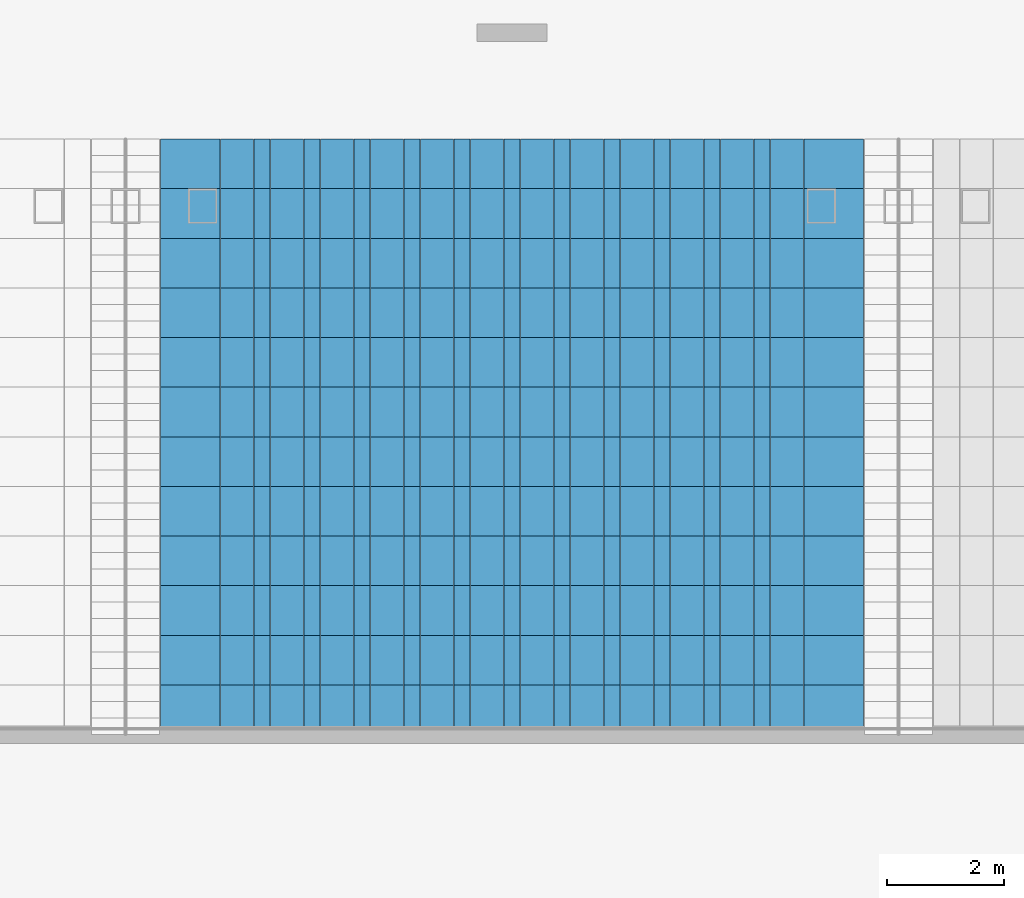
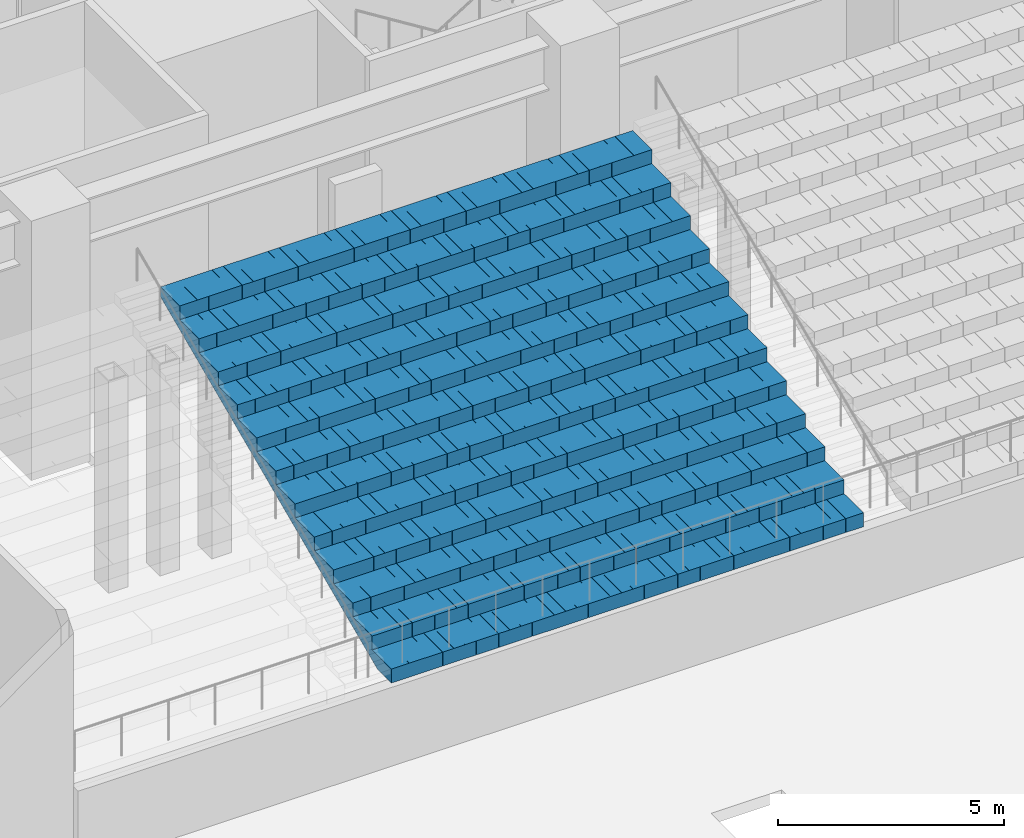
# One storey, part 25 of 62: 1 slab.
"""IFC4 building model written with IfcOpenShell, lengths in metres."""

from ifc_helpers import new_model, si_unit, direction, frame, origin, place, context, subcontext, project, spatial, polyline, outline, extrude, material, layer, layer_set, type_object, element, save


model = new_model("IFC4")

# Units and contexts
model_context = context("Model", 3, precision=1e-05, world=origin(), true_north=direction((0.0, 1.0)))
body_context = subcontext(model_context, "Body", "Model", "MODEL_VIEW")
ifc_project = project(units=[si_unit("LENGTHUNIT", "METRE"), si_unit("AREAUNIT", "SQUARE_METRE"), si_unit("VOLUMEUNIT", "CUBIC_METRE"), si_unit("PLANEANGLEUNIT", "RADIAN"), si_unit("MASSUNIT", "GRAM", prefix="KILO")], contexts=[model_context])

# Site, building, storey
site_placement = place(None, origin())
site = spatial("IfcSite", under=ifc_project, at=site_placement, CompositionType="ELEMENT")
building_placement = place(site_placement, origin())
building = spatial("IfcBuilding", under=site, at=building_placement, Name="Corbelhall Arena Tower", CompositionType="ELEMENT")
storey_placement = place(building_placement, frame((0.0, 0.0, 12.0)))
storey = spatial("IfcBuildingStorey", under=building, at=storey_placement, Name="L01", CompositionType="ELEMENT", Elevation=12.0)

# Slab
ifc_material = material(Name="Precast concrete C40/50", Category="concrete")
ifc_layer = layer(ifc_material, 0.25)
ifc_layer_set = layer_set([ifc_layer], Name="AR-TIER-RAKED")
slab_type = type_object("IfcSlabType", Name="AR-TIER-RAKED", PredefinedType="FLOOR", material=ifc_layer_set)
slab_placement = place(storey_placement, frame((0.0, 15.14990234375, 2.125), z_axis=(0.0, 0.0, 1.0), x_axis=(0.0, 1.0, 0.0)))
element("IfcSlab", 1, at=slab_placement, inside=storey, type_object=slab_type, Name="Tier section LNC", PredefinedType="FLOOR", context=body_context, shape_type="SweptSolid", body=[
    extrude(outline(polyline([(0.0, 0.0), (0.0, 0.375), (0.85009765625, 0.375), (0.85009765625, 0.75), (1.699951171875, 0.75), (1.699951171875, 1.125), (2.550048828125, 1.125), (2.550048828125, 1.5), (3.39990234375, 1.5), (3.39990234375, 1.875), (4.25, 1.875), (4.25, 2.25), (5.10009765625, 2.25), (5.10009765625, 2.625), (5.949951171875, 2.625), (5.949951171875, 3.0), (6.800048828125, 3.0), (6.800048828125, 3.375), (7.64990234375, 3.375), (7.64990234375, 3.75), (8.5, 3.75), (8.5, 4.125), (9.35009765625, 4.125), (9.35009765625, 4.5), (10.199951171875, 4.5), (10.199951171875, 4.875), (10.199951171875, 4.226806640625), (0.619384765625, 0.0), (0.0, 0.0)])), frame((0.0, 6.02001953125, 0.0), z_axis=(0.0, -1.0, 0.0), x_axis=(1.0, 0.0, 0.0)), (0.0, 0.0, 1.0), 0.449951171875),
    extrude(outline(polyline([(0.0, 0.0), (0.0, 0.375), (0.85009765625, 0.375), (0.85009765625, 0.75), (1.699951171875, 0.75), (1.699951171875, 1.125), (2.550048828125, 1.125), (2.550048828125, 1.5), (3.39990234375, 1.5), (3.39990234375, 1.875), (4.25, 1.875), (4.25, 2.25), (5.10009765625, 2.25), (5.10009765625, 2.625), (5.949951171875, 2.625), (5.949951171875, 3.0), (6.800048828125, 3.0), (6.800048828125, 3.375), (7.64990234375, 3.375), (7.64990234375, 3.75), (8.5, 3.75), (8.5, 4.125), (9.35009765625, 4.125), (9.35009765625, 4.5), (10.199951171875, 4.5), (10.199951171875, 4.875), (10.199951171875, 4.226806640625), (0.619384765625, 0.0), (0.0, 0.0)])), frame((0.0, 5.56591796875, 0.0), z_axis=(0.0, -1.0, 0.0), x_axis=(1.0, 0.0, 0.0)), (0.0, 0.0, 1.0), 0.281494140625),
    extrude(outline(polyline([(0.0, 0.0), (0.0, 0.375), (0.85009765625, 0.375), (0.85009765625, 0.75), (1.699951171875, 0.75), (1.699951171875, 1.125), (2.550048828125, 1.125), (2.550048828125, 1.5), (3.39990234375, 1.5), (3.39990234375, 1.875), (4.25, 1.875), (4.25, 2.25), (5.10009765625, 2.25), (5.10009765625, 2.625), (5.949951171875, 2.625), (5.949951171875, 3.0), (6.800048828125, 3.0), (6.800048828125, 3.375), (7.64990234375, 3.375), (7.64990234375, 3.75), (8.5, 3.75), (8.5, 4.125), (9.35009765625, 4.125), (9.35009765625, 4.5), (10.199951171875, 4.5), (10.199951171875, 4.875), (10.199951171875, 4.226806640625), (0.619384765625, 0.0), (0.0, 0.0)])), frame((0.0, 5.280517578125, 0.0), z_axis=(0.0, -1.0, 0.0), x_axis=(1.0, 0.0, 0.0)), (0.0, 0.0, 1.0), 0.281494140625),
    extrude(outline(polyline([(0.0, 0.0), (0.0, 0.375), (0.85009765625, 0.375), (0.85009765625, 0.75), (1.699951171875, 0.75), (1.699951171875, 1.125), (2.550048828125, 1.125), (2.550048828125, 1.5), (3.39990234375, 1.5), (3.39990234375, 1.875), (4.25, 1.875), (4.25, 2.25), (5.10009765625, 2.25), (5.10009765625, 2.625), (5.949951171875, 2.625), (5.949951171875, 3.0), (6.800048828125, 3.0), (6.800048828125, 3.375), (7.64990234375, 3.375), (7.64990234375, 3.75), (8.5, 3.75), (8.5, 4.125), (9.35009765625, 4.125), (9.35009765625, 4.5), (10.199951171875, 4.5), (10.199951171875, 4.875), (10.199951171875, 4.226806640625), (0.619384765625, 0.0), (0.0, 0.0)])), frame((0.0, 4.994873046875, 0.0), z_axis=(0.0, -1.0, 0.0), x_axis=(1.0, 0.0, 0.0)), (0.0, 0.0, 1.0), 0.281494140625),
    extrude(outline(polyline([(0.0, 0.0), (0.0, 0.375), (0.85009765625, 0.375), (0.85009765625, 0.75), (1.699951171875, 0.75), (1.699951171875, 1.125), (2.550048828125, 1.125), (2.550048828125, 1.5), (3.39990234375, 1.5), (3.39990234375, 1.875), (4.25, 1.875), (4.25, 2.25), (5.10009765625, 2.25), (5.10009765625, 2.625), (5.949951171875, 2.625), (5.949951171875, 3.0), (6.800048828125, 3.0), (6.800048828125, 3.375), (7.64990234375, 3.375), (7.64990234375, 3.75), (8.5, 3.75), (8.5, 4.125), (9.35009765625, 4.125), (9.35009765625, 4.5), (10.199951171875, 4.5), (10.199951171875, 4.875), (10.199951171875, 4.226806640625), (0.619384765625, 0.0), (0.0, 0.0)])), frame((0.0, 4.70947265625, 0.0), z_axis=(0.0, -1.0, 0.0), x_axis=(1.0, 0.0, 0.0)), (0.0, 0.0, 1.0), 0.281494140625),
    extrude(outline(polyline([(0.0, 0.0), (0.0, 0.375), (0.85009765625, 0.375), (0.85009765625, 0.75), (1.699951171875, 0.75), (1.699951171875, 1.125), (2.550048828125, 1.125), (2.550048828125, 1.5), (3.39990234375, 1.5), (3.39990234375, 1.875), (4.25, 1.875), (4.25, 2.25), (5.10009765625, 2.25), (5.10009765625, 2.625), (5.949951171875, 2.625), (5.949951171875, 3.0), (6.800048828125, 3.0), (6.800048828125, 3.375), (7.64990234375, 3.375), (7.64990234375, 3.75), (8.5, 3.75), (8.5, 4.125), (9.35009765625, 4.125), (9.35009765625, 4.5), (10.199951171875, 4.5), (10.199951171875, 4.875), (10.199951171875, 4.226806640625), (0.619384765625, 0.0), (0.0, 0.0)])), frame((0.0, 4.423828125, 0.0), z_axis=(0.0, -1.0, 0.0), x_axis=(1.0, 0.0, 0.0)), (0.0, 0.0, 1.0), 0.281494140625),
    extrude(outline(polyline([(0.0, 0.0), (0.0, 0.375), (0.85009765625, 0.375), (0.85009765625, 0.75), (1.699951171875, 0.75), (1.699951171875, 1.125), (2.550048828125, 1.125), (2.550048828125, 1.5), (3.39990234375, 1.5), (3.39990234375, 1.875), (4.25, 1.875), (4.25, 2.25), (5.10009765625, 2.25), (5.10009765625, 2.625), (5.949951171875, 2.625), (5.949951171875, 3.0), (6.800048828125, 3.0), (6.800048828125, 3.375), (7.64990234375, 3.375), (7.64990234375, 3.75), (8.5, 3.75), (8.5, 4.125), (9.35009765625, 4.125), (9.35009765625, 4.5), (10.199951171875, 4.5), (10.199951171875, 4.875), (10.199951171875, 4.226806640625), (0.619384765625, 0.0), (0.0, 0.0)])), frame((0.0, 4.138427734375, 0.0), z_axis=(0.0, -1.0, 0.0), x_axis=(1.0, 0.0, 0.0)), (0.0, 0.0, 1.0), 0.281494140625),
    extrude(outline(polyline([(0.0, 0.0), (0.0, 0.375), (0.85009765625, 0.375), (0.85009765625, 0.75), (1.699951171875, 0.75), (1.699951171875, 1.125), (2.550048828125, 1.125), (2.550048828125, 1.5), (3.39990234375, 1.5), (3.39990234375, 1.875), (4.25, 1.875), (4.25, 2.25), (5.10009765625, 2.25), (5.10009765625, 2.625), (5.949951171875, 2.625), (5.949951171875, 3.0), (6.800048828125, 3.0), (6.800048828125, 3.375), (7.64990234375, 3.375), (7.64990234375, 3.75), (8.5, 3.75), (8.5, 4.125), (9.35009765625, 4.125), (9.35009765625, 4.5), (10.199951171875, 4.5), (10.199951171875, 4.875), (10.199951171875, 4.226806640625), (0.619384765625, 0.0), (0.0, 0.0)])), frame((0.0, 3.852783203125, 0.0), z_axis=(0.0, -1.0, 0.0), x_axis=(1.0, 0.0, 0.0)), (0.0, 0.0, 1.0), 0.281494140625),
    extrude(outline(polyline([(0.0, 0.0), (0.0, 0.375), (0.85009765625, 0.375), (0.85009765625, 0.75), (1.699951171875, 0.75), (1.699951171875, 1.125), (2.550048828125, 1.125), (2.550048828125, 1.5), (3.39990234375, 1.5), (3.39990234375, 1.875), (4.25, 1.875), (4.25, 2.25), (5.10009765625, 2.25), (5.10009765625, 2.625), (5.949951171875, 2.625), (5.949951171875, 3.0), (6.800048828125, 3.0), (6.800048828125, 3.375), (7.64990234375, 3.375), (7.64990234375, 3.75), (8.5, 3.75), (8.5, 4.125), (9.35009765625, 4.125), (9.35009765625, 4.5), (10.199951171875, 4.5), (10.199951171875, 4.875), (10.199951171875, 4.226806640625), (0.619384765625, 0.0), (0.0, 0.0)])), frame((0.0, 3.567138671875, 0.0), z_axis=(0.0, -1.0, 0.0), x_axis=(1.0, 0.0, 0.0)), (0.0, 0.0, 1.0), 0.281494140625),
    extrude(outline(polyline([(0.0, 0.0), (0.0, 0.375), (0.85009765625, 0.375), (0.85009765625, 0.75), (1.699951171875, 0.75), (1.699951171875, 1.125), (2.550048828125, 1.125), (2.550048828125, 1.5), (3.39990234375, 1.5), (3.39990234375, 1.875), (4.25, 1.875), (4.25, 2.25), (5.10009765625, 2.25), (5.10009765625, 2.625), (5.949951171875, 2.625), (5.949951171875, 3.0), (6.800048828125, 3.0), (6.800048828125, 3.375), (7.64990234375, 3.375), (7.64990234375, 3.75), (8.5, 3.75), (8.5, 4.125), (9.35009765625, 4.125), (9.35009765625, 4.5), (10.199951171875, 4.5), (10.199951171875, 4.875), (10.199951171875, 4.226806640625), (0.619384765625, 0.0), (0.0, 0.0)])), frame((0.0, 3.28173828125, 0.0), z_axis=(0.0, -1.0, 0.0), x_axis=(1.0, 0.0, 0.0)), (0.0, 0.0, 1.0), 0.281494140625),
    extrude(outline(polyline([(0.0, 0.0), (0.0, 0.375), (0.85009765625, 0.375), (0.85009765625, 0.75), (1.699951171875, 0.75), (1.699951171875, 1.125), (2.550048828125, 1.125), (2.550048828125, 1.5), (3.39990234375, 1.5), (3.39990234375, 1.875), (4.25, 1.875), (4.25, 2.25), (5.10009765625, 2.25), (5.10009765625, 2.625), (5.949951171875, 2.625), (5.949951171875, 3.0), (6.800048828125, 3.0), (6.800048828125, 3.375), (7.64990234375, 3.375), (7.64990234375, 3.75), (8.5, 3.75), (8.5, 4.125), (9.35009765625, 4.125), (9.35009765625, 4.5), (10.199951171875, 4.5), (10.199951171875, 4.875), (10.199951171875, 4.226806640625), (0.619384765625, 0.0), (0.0, 0.0)])), frame((0.0, 2.99609375, 0.0), z_axis=(0.0, -1.0, 0.0), x_axis=(1.0, 0.0, 0.0)), (0.0, 0.0, 1.0), 0.281494140625),
    extrude(outline(polyline([(0.0, 0.0), (0.0, 0.375), (0.85009765625, 0.375), (0.85009765625, 0.75), (1.699951171875, 0.75), (1.699951171875, 1.125), (2.550048828125, 1.125), (2.550048828125, 1.5), (3.39990234375, 1.5), (3.39990234375, 1.875), (4.25, 1.875), (4.25, 2.25), (5.10009765625, 2.25), (5.10009765625, 2.625), (5.949951171875, 2.625), (5.949951171875, 3.0), (6.800048828125, 3.0), (6.800048828125, 3.375), (7.64990234375, 3.375), (7.64990234375, 3.75), (8.5, 3.75), (8.5, 4.125), (9.35009765625, 4.125), (9.35009765625, 4.5), (10.199951171875, 4.5), (10.199951171875, 4.875), (10.199951171875, 4.226806640625), (0.619384765625, 0.0), (0.0, 0.0)])), frame((0.0, 2.710693359375, 0.0), z_axis=(0.0, -1.0, 0.0), x_axis=(1.0, 0.0, 0.0)), (0.0, 0.0, 1.0), 0.281494140625),
    extrude(outline(polyline([(0.0, 0.0), (0.0, 0.375), (0.85009765625, 0.375), (0.85009765625, 0.75), (1.699951171875, 0.75), (1.699951171875, 1.125), (2.550048828125, 1.125), (2.550048828125, 1.5), (3.39990234375, 1.5), (3.39990234375, 1.875), (4.25, 1.875), (4.25, 2.25), (5.10009765625, 2.25), (5.10009765625, 2.625), (5.949951171875, 2.625), (5.949951171875, 3.0), (6.800048828125, 3.0), (6.800048828125, 3.375), (7.64990234375, 3.375), (7.64990234375, 3.75), (8.5, 3.75), (8.5, 4.125), (9.35009765625, 4.125), (9.35009765625, 4.5), (10.199951171875, 4.5), (10.199951171875, 4.875), (10.199951171875, 4.226806640625), (0.619384765625, 0.0), (0.0, 0.0)])), frame((0.0, 2.425048828125, 0.0), z_axis=(0.0, -1.0, 0.0), x_axis=(1.0, 0.0, 0.0)), (0.0, 0.0, 1.0), 0.281494140625),
    extrude(outline(polyline([(0.0, 0.0), (0.0, 0.375), (0.85009765625, 0.375), (0.85009765625, 0.75), (1.699951171875, 0.75), (1.699951171875, 1.125), (2.550048828125, 1.125), (2.550048828125, 1.5), (3.39990234375, 1.5), (3.39990234375, 1.875), (4.25, 1.875), (4.25, 2.25), (5.10009765625, 2.25), (5.10009765625, 2.625), (5.949951171875, 2.625), (5.949951171875, 3.0), (6.800048828125, 3.0), (6.800048828125, 3.375), (7.64990234375, 3.375), (7.64990234375, 3.75), (8.5, 3.75), (8.5, 4.125), (9.35009765625, 4.125), (9.35009765625, 4.5), (10.199951171875, 4.5), (10.199951171875, 4.875), (10.199951171875, 4.226806640625), (0.619384765625, 0.0), (0.0, 0.0)])), frame((0.0, 2.1396484375, 0.0), z_axis=(0.0, -1.0, 0.0), x_axis=(1.0, 0.0, 0.0)), (0.0, 0.0, 1.0), 0.281494140625),
    extrude(outline(polyline([(0.0, 0.0), (0.0, 0.375), (0.85009765625, 0.375), (0.85009765625, 0.75), (1.699951171875, 0.75), (1.699951171875, 1.125), (2.550048828125, 1.125), (2.550048828125, 1.5), (3.39990234375, 1.5), (3.39990234375, 1.875), (4.25, 1.875), (4.25, 2.25), (5.10009765625, 2.25), (5.10009765625, 2.625), (5.949951171875, 2.625), (5.949951171875, 3.0), (6.800048828125, 3.0), (6.800048828125, 3.375), (7.64990234375, 3.375), (7.64990234375, 3.75), (8.5, 3.75), (8.5, 4.125), (9.35009765625, 4.125), (9.35009765625, 4.5), (10.199951171875, 4.5), (10.199951171875, 4.875), (10.199951171875, 4.226806640625), (0.619384765625, 0.0), (0.0, 0.0)])), frame((0.0, 1.85400390625, 0.0), z_axis=(0.0, -1.0, 0.0), x_axis=(1.0, 0.0, 0.0)), (0.0, 0.0, 1.0), 0.281494140625),
    extrude(outline(polyline([(0.0, 0.0), (0.0, 0.375), (0.85009765625, 0.375), (0.85009765625, 0.75), (1.699951171875, 0.75), (1.699951171875, 1.125), (2.550048828125, 1.125), (2.550048828125, 1.5), (3.39990234375, 1.5), (3.39990234375, 1.875), (4.25, 1.875), (4.25, 2.25), (5.10009765625, 2.25), (5.10009765625, 2.625), (5.949951171875, 2.625), (5.949951171875, 3.0), (6.800048828125, 3.0), (6.800048828125, 3.375), (7.64990234375, 3.375), (7.64990234375, 3.75), (8.5, 3.75), (8.5, 4.125), (9.35009765625, 4.125), (9.35009765625, 4.5), (10.199951171875, 4.5), (10.199951171875, 4.875), (10.199951171875, 4.226806640625), (0.619384765625, 0.0), (0.0, 0.0)])), frame((0.0, 1.568359375, 0.0), z_axis=(0.0, -1.0, 0.0), x_axis=(1.0, 0.0, 0.0)), (0.0, 0.0, 1.0), 0.281494140625),
    extrude(outline(polyline([(0.0, 0.0), (0.0, 0.375), (0.85009765625, 0.375), (0.85009765625, 0.75), (1.699951171875, 0.75), (1.699951171875, 1.125), (2.550048828125, 1.125), (2.550048828125, 1.5), (3.39990234375, 1.5), (3.39990234375, 1.875), (4.25, 1.875), (4.25, 2.25), (5.10009765625, 2.25), (5.10009765625, 2.625), (5.949951171875, 2.625), (5.949951171875, 3.0), (6.800048828125, 3.0), (6.800048828125, 3.375), (7.64990234375, 3.375), (7.64990234375, 3.75), (8.5, 3.75), (8.5, 4.125), (9.35009765625, 4.125), (9.35009765625, 4.5), (10.199951171875, 4.5), (10.199951171875, 4.875), (10.199951171875, 4.226806640625), (0.619384765625, 0.0), (0.0, 0.0)])), frame((0.0, 1.282958984375, 0.0), z_axis=(0.0, -1.0, 0.0), x_axis=(1.0, 0.0, 0.0)), (0.0, 0.0, 1.0), 0.281494140625),
    extrude(outline(polyline([(0.0, 0.0), (0.0, 0.375), (0.85009765625, 0.375), (0.85009765625, 0.75), (1.699951171875, 0.75), (1.699951171875, 1.125), (2.550048828125, 1.125), (2.550048828125, 1.5), (3.39990234375, 1.5), (3.39990234375, 1.875), (4.25, 1.875), (4.25, 2.25), (5.10009765625, 2.25), (5.10009765625, 2.625), (5.949951171875, 2.625), (5.949951171875, 3.0), (6.800048828125, 3.0), (6.800048828125, 3.375), (7.64990234375, 3.375), (7.64990234375, 3.75), (8.5, 3.75), (8.5, 4.125), (9.35009765625, 4.125), (9.35009765625, 4.5), (10.199951171875, 4.5), (10.199951171875, 4.875), (10.199951171875, 4.226806640625), (0.619384765625, 0.0), (0.0, 0.0)])), frame((0.0, 0.997314453125, 0.0), z_axis=(0.0, -1.0, 0.0), x_axis=(1.0, 0.0, 0.0)), (0.0, 0.0, 1.0), 0.281494140625),
    extrude(outline(polyline([(0.0, 0.0), (0.0, 0.375), (0.85009765625, 0.375), (0.85009765625, 0.75), (1.699951171875, 0.75), (1.699951171875, 1.125), (2.550048828125, 1.125), (2.550048828125, 1.5), (3.39990234375, 1.5), (3.39990234375, 1.875), (4.25, 1.875), (4.25, 2.25), (5.10009765625, 2.25), (5.10009765625, 2.625), (5.949951171875, 2.625), (5.949951171875, 3.0), (6.800048828125, 3.0), (6.800048828125, 3.375), (7.64990234375, 3.375), (7.64990234375, 3.75), (8.5, 3.75), (8.5, 4.125), (9.35009765625, 4.125), (9.35009765625, 4.5), (10.199951171875, 4.5), (10.199951171875, 4.875), (10.199951171875, 4.226806640625), (0.619384765625, 0.0), (0.0, 0.0)])), frame((0.0, 0.7119140625, 0.0), z_axis=(0.0, -1.0, 0.0), x_axis=(1.0, 0.0, 0.0)), (0.0, 0.0, 1.0), 0.281494140625),
    extrude(outline(polyline([(0.0, 0.0), (0.0, 0.375), (0.85009765625, 0.375), (0.85009765625, 0.75), (1.699951171875, 0.75), (1.699951171875, 1.125), (2.550048828125, 1.125), (2.550048828125, 1.5), (3.39990234375, 1.5), (3.39990234375, 1.875), (4.25, 1.875), (4.25, 2.25), (5.10009765625, 2.25), (5.10009765625, 2.625), (5.949951171875, 2.625), (5.949951171875, 3.0), (6.800048828125, 3.0), (6.800048828125, 3.375), (7.64990234375, 3.375), (7.64990234375, 3.75), (8.5, 3.75), (8.5, 4.125), (9.35009765625, 4.125), (9.35009765625, 4.5), (10.199951171875, 4.5), (10.199951171875, 4.875), (10.199951171875, 4.226806640625), (0.619384765625, 0.0), (0.0, 0.0)])), frame((0.0, 0.42626953125, 0.0), z_axis=(0.0, -1.0, 0.0), x_axis=(1.0, 0.0, 0.0)), (0.0, 0.0, 1.0), 0.281494140625),
    extrude(outline(polyline([(0.0, 0.0), (0.0, 0.375), (0.85009765625, 0.375), (0.85009765625, 0.75), (1.699951171875, 0.75), (1.699951171875, 1.125), (2.550048828125, 1.125), (2.550048828125, 1.5), (3.39990234375, 1.5), (3.39990234375, 1.875), (4.25, 1.875), (4.25, 2.25), (5.10009765625, 2.25), (5.10009765625, 2.625), (5.949951171875, 2.625), (5.949951171875, 3.0), (6.800048828125, 3.0), (6.800048828125, 3.375), (7.64990234375, 3.375), (7.64990234375, 3.75), (8.5, 3.75), (8.5, 4.125), (9.35009765625, 4.125), (9.35009765625, 4.5), (10.199951171875, 4.5), (10.199951171875, 4.875), (10.199951171875, 4.226806640625), (0.619384765625, 0.0), (0.0, 0.0)])), frame((0.0, 0.140869140625, 0.0), z_axis=(0.0, -1.0, 0.0), x_axis=(1.0, 0.0, 0.0)), (0.0, 0.0, 1.0), 0.281494140625),
    extrude(outline(polyline([(0.0, 0.0), (0.0, 0.375), (0.85009765625, 0.375), (0.85009765625, 0.75), (1.699951171875, 0.75), (1.699951171875, 1.125), (2.550048828125, 1.125), (2.550048828125, 1.5), (3.39990234375, 1.5), (3.39990234375, 1.875), (4.25, 1.875), (4.25, 2.25), (5.10009765625, 2.25), (5.10009765625, 2.625), (5.949951171875, 2.625), (5.949951171875, 3.0), (6.800048828125, 3.0), (6.800048828125, 3.375), (7.64990234375, 3.375), (7.64990234375, 3.75), (8.5, 3.75), (8.5, 4.125), (9.35009765625, 4.125), (9.35009765625, 4.5), (10.199951171875, 4.5), (10.199951171875, 4.875), (10.199951171875, 4.226806640625), (0.619384765625, 0.0), (0.0, 0.0)])), frame((0.0, -0.144775390625, 0.0), z_axis=(0.0, -1.0, 0.0), x_axis=(1.0, 0.0, 0.0)), (0.0, 0.0, 1.0), 0.281494140625),
    extrude(outline(polyline([(0.0, 0.0), (0.0, 0.375), (0.85009765625, 0.375), (0.85009765625, 0.75), (1.699951171875, 0.75), (1.699951171875, 1.125), (2.550048828125, 1.125), (2.550048828125, 1.5), (3.39990234375, 1.5), (3.39990234375, 1.875), (4.25, 1.875), (4.25, 2.25), (5.10009765625, 2.25), (5.10009765625, 2.625), (5.949951171875, 2.625), (5.949951171875, 3.0), (6.800048828125, 3.0), (6.800048828125, 3.375), (7.64990234375, 3.375), (7.64990234375, 3.75), (8.5, 3.75), (8.5, 4.125), (9.35009765625, 4.125), (9.35009765625, 4.5), (10.199951171875, 4.5), (10.199951171875, 4.875), (10.199951171875, 4.226806640625), (0.619384765625, 0.0), (0.0, 0.0)])), frame((0.0, -0.430419921875, 0.0), z_axis=(0.0, -1.0, 0.0), x_axis=(1.0, 0.0, 0.0)), (0.0, 0.0, 1.0), 0.281494140625),
    extrude(outline(polyline([(0.0, 0.0), (0.0, 0.375), (0.85009765625, 0.375), (0.85009765625, 0.75), (1.699951171875, 0.75), (1.699951171875, 1.125), (2.550048828125, 1.125), (2.550048828125, 1.5), (3.39990234375, 1.5), (3.39990234375, 1.875), (4.25, 1.875), (4.25, 2.25), (5.10009765625, 2.25), (5.10009765625, 2.625), (5.949951171875, 2.625), (5.949951171875, 3.0), (6.800048828125, 3.0), (6.800048828125, 3.375), (7.64990234375, 3.375), (7.64990234375, 3.75), (8.5, 3.75), (8.5, 4.125), (9.35009765625, 4.125), (9.35009765625, 4.5), (10.199951171875, 4.5), (10.199951171875, 4.875), (10.199951171875, 4.226806640625), (0.619384765625, 0.0), (0.0, 0.0)])), frame((0.0, -0.7158203125, 0.0), z_axis=(0.0, -1.0, 0.0), x_axis=(1.0, 0.0, 0.0)), (0.0, 0.0, 1.0), 0.281494140625),
    extrude(outline(polyline([(0.0, 0.0), (0.0, 0.375), (0.85009765625, 0.375), (0.85009765625, 0.75), (1.699951171875, 0.75), (1.699951171875, 1.125), (2.550048828125, 1.125), (2.550048828125, 1.5), (3.39990234375, 1.5), (3.39990234375, 1.875), (4.25, 1.875), (4.25, 2.25), (5.10009765625, 2.25), (5.10009765625, 2.625), (5.949951171875, 2.625), (5.949951171875, 3.0), (6.800048828125, 3.0), (6.800048828125, 3.375), (7.64990234375, 3.375), (7.64990234375, 3.75), (8.5, 3.75), (8.5, 4.125), (9.35009765625, 4.125), (9.35009765625, 4.5), (10.199951171875, 4.5), (10.199951171875, 4.875), (10.199951171875, 4.226806640625), (0.619384765625, 0.0), (0.0, 0.0)])), frame((0.0, -1.00146484375, 0.0), z_axis=(0.0, -1.0, 0.0), x_axis=(1.0, 0.0, 0.0)), (0.0, 0.0, 1.0), 0.281494140625),
    extrude(outline(polyline([(0.0, 0.0), (0.0, 0.375), (0.85009765625, 0.375), (0.85009765625, 0.75), (1.699951171875, 0.75), (1.699951171875, 1.125), (2.550048828125, 1.125), (2.550048828125, 1.5), (3.39990234375, 1.5), (3.39990234375, 1.875), (4.25, 1.875), (4.25, 2.25), (5.10009765625, 2.25), (5.10009765625, 2.625), (5.949951171875, 2.625), (5.949951171875, 3.0), (6.800048828125, 3.0), (6.800048828125, 3.375), (7.64990234375, 3.375), (7.64990234375, 3.75), (8.5, 3.75), (8.5, 4.125), (9.35009765625, 4.125), (9.35009765625, 4.5), (10.199951171875, 4.5), (10.199951171875, 4.875), (10.199951171875, 4.226806640625), (0.619384765625, 0.0), (0.0, 0.0)])), frame((0.0, -1.286865234375, 0.0), z_axis=(0.0, -1.0, 0.0), x_axis=(1.0, 0.0, 0.0)), (0.0, 0.0, 1.0), 0.281494140625),
    extrude(outline(polyline([(0.0, 0.0), (0.0, 0.375), (0.85009765625, 0.375), (0.85009765625, 0.75), (1.699951171875, 0.75), (1.699951171875, 1.125), (2.550048828125, 1.125), (2.550048828125, 1.5), (3.39990234375, 1.5), (3.39990234375, 1.875), (4.25, 1.875), (4.25, 2.25), (5.10009765625, 2.25), (5.10009765625, 2.625), (5.949951171875, 2.625), (5.949951171875, 3.0), (6.800048828125, 3.0), (6.800048828125, 3.375), (7.64990234375, 3.375), (7.64990234375, 3.75), (8.5, 3.75), (8.5, 4.125), (9.35009765625, 4.125), (9.35009765625, 4.5), (10.199951171875, 4.5), (10.199951171875, 4.875), (10.199951171875, 4.226806640625), (0.619384765625, 0.0), (0.0, 0.0)])), frame((0.0, -1.572509765625, 0.0), z_axis=(0.0, -1.0, 0.0), x_axis=(1.0, 0.0, 0.0)), (0.0, 0.0, 1.0), 0.281494140625),
    extrude(outline(polyline([(0.0, 0.0), (0.0, 0.375), (0.85009765625, 0.375), (0.85009765625, 0.75), (1.699951171875, 0.75), (1.699951171875, 1.125), (2.550048828125, 1.125), (2.550048828125, 1.5), (3.39990234375, 1.5), (3.39990234375, 1.875), (4.25, 1.875), (4.25, 2.25), (5.10009765625, 2.25), (5.10009765625, 2.625), (5.949951171875, 2.625), (5.949951171875, 3.0), (6.800048828125, 3.0), (6.800048828125, 3.375), (7.64990234375, 3.375), (7.64990234375, 3.75), (8.5, 3.75), (8.5, 4.125), (9.35009765625, 4.125), (9.35009765625, 4.5), (10.199951171875, 4.5), (10.199951171875, 4.875), (10.199951171875, 4.226806640625), (0.619384765625, 0.0), (0.0, 0.0)])), frame((0.0, -1.85791015625, 0.0), z_axis=(0.0, -1.0, 0.0), x_axis=(1.0, 0.0, 0.0)), (0.0, 0.0, 1.0), 0.281494140625),
    extrude(outline(polyline([(0.0, 0.0), (0.0, 0.375), (0.85009765625, 0.375), (0.85009765625, 0.75), (1.699951171875, 0.75), (1.699951171875, 1.125), (2.550048828125, 1.125), (2.550048828125, 1.5), (3.39990234375, 1.5), (3.39990234375, 1.875), (4.25, 1.875), (4.25, 2.25), (5.10009765625, 2.25), (5.10009765625, 2.625), (5.949951171875, 2.625), (5.949951171875, 3.0), (6.800048828125, 3.0), (6.800048828125, 3.375), (7.64990234375, 3.375), (7.64990234375, 3.75), (8.5, 3.75), (8.5, 4.125), (9.35009765625, 4.125), (9.35009765625, 4.5), (10.199951171875, 4.5), (10.199951171875, 4.875), (10.199951171875, 4.226806640625), (0.619384765625, 0.0), (0.0, 0.0)])), frame((0.0, -2.1435546875, 0.0), z_axis=(0.0, -1.0, 0.0), x_axis=(1.0, 0.0, 0.0)), (0.0, 0.0, 1.0), 0.281494140625),
    extrude(outline(polyline([(0.0, 0.0), (0.0, 0.375), (0.85009765625, 0.375), (0.85009765625, 0.75), (1.699951171875, 0.75), (1.699951171875, 1.125), (2.550048828125, 1.125), (2.550048828125, 1.5), (3.39990234375, 1.5), (3.39990234375, 1.875), (4.25, 1.875), (4.25, 2.25), (5.10009765625, 2.25), (5.10009765625, 2.625), (5.949951171875, 2.625), (5.949951171875, 3.0), (6.800048828125, 3.0), (6.800048828125, 3.375), (7.64990234375, 3.375), (7.64990234375, 3.75), (8.5, 3.75), (8.5, 4.125), (9.35009765625, 4.125), (9.35009765625, 4.5), (10.199951171875, 4.5), (10.199951171875, 4.875), (10.199951171875, 4.226806640625), (0.619384765625, 0.0), (0.0, 0.0)])), frame((0.0, -2.42919921875, 0.0), z_axis=(0.0, -1.0, 0.0), x_axis=(1.0, 0.0, 0.0)), (0.0, 0.0, 1.0), 0.281494140625),
    extrude(outline(polyline([(0.0, 0.0), (0.0, 0.375), (0.85009765625, 0.375), (0.85009765625, 0.75), (1.699951171875, 0.75), (1.699951171875, 1.125), (2.550048828125, 1.125), (2.550048828125, 1.5), (3.39990234375, 1.5), (3.39990234375, 1.875), (4.25, 1.875), (4.25, 2.25), (5.10009765625, 2.25), (5.10009765625, 2.625), (5.949951171875, 2.625), (5.949951171875, 3.0), (6.800048828125, 3.0), (6.800048828125, 3.375), (7.64990234375, 3.375), (7.64990234375, 3.75), (8.5, 3.75), (8.5, 4.125), (9.35009765625, 4.125), (9.35009765625, 4.5), (10.199951171875, 4.5), (10.199951171875, 4.875), (10.199951171875, 4.226806640625), (0.619384765625, 0.0), (0.0, 0.0)])), frame((0.0, -2.714599609375, 0.0), z_axis=(0.0, -1.0, 0.0), x_axis=(1.0, 0.0, 0.0)), (0.0, 0.0, 1.0), 0.281494140625),
    extrude(outline(polyline([(0.0, 0.0), (0.0, 0.375), (0.85009765625, 0.375), (0.85009765625, 0.75), (1.699951171875, 0.75), (1.699951171875, 1.125), (2.550048828125, 1.125), (2.550048828125, 1.5), (3.39990234375, 1.5), (3.39990234375, 1.875), (4.25, 1.875), (4.25, 2.25), (5.10009765625, 2.25), (5.10009765625, 2.625), (5.949951171875, 2.625), (5.949951171875, 3.0), (6.800048828125, 3.0), (6.800048828125, 3.375), (7.64990234375, 3.375), (7.64990234375, 3.75), (8.5, 3.75), (8.5, 4.125), (9.35009765625, 4.125), (9.35009765625, 4.5), (10.199951171875, 4.5), (10.199951171875, 4.875), (10.199951171875, 4.226806640625), (0.619384765625, 0.0), (0.0, 0.0)])), frame((0.0, -3.000244140625, 0.0), z_axis=(0.0, -1.0, 0.0), x_axis=(1.0, 0.0, 0.0)), (0.0, 0.0, 1.0), 0.281494140625),
    extrude(outline(polyline([(0.0, 0.0), (0.0, 0.375), (0.85009765625, 0.375), (0.85009765625, 0.75), (1.699951171875, 0.75), (1.699951171875, 1.125), (2.550048828125, 1.125), (2.550048828125, 1.5), (3.39990234375, 1.5), (3.39990234375, 1.875), (4.25, 1.875), (4.25, 2.25), (5.10009765625, 2.25), (5.10009765625, 2.625), (5.949951171875, 2.625), (5.949951171875, 3.0), (6.800048828125, 3.0), (6.800048828125, 3.375), (7.64990234375, 3.375), (7.64990234375, 3.75), (8.5, 3.75), (8.5, 4.125), (9.35009765625, 4.125), (9.35009765625, 4.5), (10.199951171875, 4.5), (10.199951171875, 4.875), (10.199951171875, 4.226806640625), (0.619384765625, 0.0), (0.0, 0.0)])), frame((0.0, -3.28564453125, 0.0), z_axis=(0.0, -1.0, 0.0), x_axis=(1.0, 0.0, 0.0)), (0.0, 0.0, 1.0), 0.281494140625),
    extrude(outline(polyline([(0.0, 0.0), (0.0, 0.375), (0.85009765625, 0.375), (0.85009765625, 0.75), (1.699951171875, 0.75), (1.699951171875, 1.125), (2.550048828125, 1.125), (2.550048828125, 1.5), (3.39990234375, 1.5), (3.39990234375, 1.875), (4.25, 1.875), (4.25, 2.25), (5.10009765625, 2.25), (5.10009765625, 2.625), (5.949951171875, 2.625), (5.949951171875, 3.0), (6.800048828125, 3.0), (6.800048828125, 3.375), (7.64990234375, 3.375), (7.64990234375, 3.75), (8.5, 3.75), (8.5, 4.125), (9.35009765625, 4.125), (9.35009765625, 4.5), (10.199951171875, 4.5), (10.199951171875, 4.875), (10.199951171875, 4.226806640625), (0.619384765625, 0.0), (0.0, 0.0)])), frame((0.0, -3.5712890625, 0.0), z_axis=(0.0, -1.0, 0.0), x_axis=(1.0, 0.0, 0.0)), (0.0, 0.0, 1.0), 0.281494140625),
    extrude(outline(polyline([(0.0, 0.0), (0.0, 0.375), (0.85009765625, 0.375), (0.85009765625, 0.75), (1.699951171875, 0.75), (1.699951171875, 1.125), (2.550048828125, 1.125), (2.550048828125, 1.5), (3.39990234375, 1.5), (3.39990234375, 1.875), (4.25, 1.875), (4.25, 2.25), (5.10009765625, 2.25), (5.10009765625, 2.625), (5.949951171875, 2.625), (5.949951171875, 3.0), (6.800048828125, 3.0), (6.800048828125, 3.375), (7.64990234375, 3.375), (7.64990234375, 3.75), (8.5, 3.75), (8.5, 4.125), (9.35009765625, 4.125), (9.35009765625, 4.5), (10.199951171875, 4.5), (10.199951171875, 4.875), (10.199951171875, 4.226806640625), (0.619384765625, 0.0), (0.0, 0.0)])), frame((0.0, -3.856689453125, 0.0), z_axis=(0.0, -1.0, 0.0), x_axis=(1.0, 0.0, 0.0)), (0.0, 0.0, 1.0), 0.281494140625),
    extrude(outline(polyline([(0.0, 0.0), (0.0, 0.375), (0.85009765625, 0.375), (0.85009765625, 0.75), (1.699951171875, 0.75), (1.699951171875, 1.125), (2.550048828125, 1.125), (2.550048828125, 1.5), (3.39990234375, 1.5), (3.39990234375, 1.875), (4.25, 1.875), (4.25, 2.25), (5.10009765625, 2.25), (5.10009765625, 2.625), (5.949951171875, 2.625), (5.949951171875, 3.0), (6.800048828125, 3.0), (6.800048828125, 3.375), (7.64990234375, 3.375), (7.64990234375, 3.75), (8.5, 3.75), (8.5, 4.125), (9.35009765625, 4.125), (9.35009765625, 4.5), (10.199951171875, 4.5), (10.199951171875, 4.875), (10.199951171875, 4.226806640625), (0.619384765625, 0.0), (0.0, 0.0)])), frame((0.0, -4.142333984375, 0.0), z_axis=(0.0, -1.0, 0.0), x_axis=(1.0, 0.0, 0.0)), (0.0, 0.0, 1.0), 0.281494140625),
    extrude(outline(polyline([(0.0, 0.0), (0.0, 0.375), (0.85009765625, 0.375), (0.85009765625, 0.75), (1.699951171875, 0.75), (1.699951171875, 1.125), (2.550048828125, 1.125), (2.550048828125, 1.5), (3.39990234375, 1.5), (3.39990234375, 1.875), (4.25, 1.875), (4.25, 2.25), (5.10009765625, 2.25), (5.10009765625, 2.625), (5.949951171875, 2.625), (5.949951171875, 3.0), (6.800048828125, 3.0), (6.800048828125, 3.375), (7.64990234375, 3.375), (7.64990234375, 3.75), (8.5, 3.75), (8.5, 4.125), (9.35009765625, 4.125), (9.35009765625, 4.5), (10.199951171875, 4.5), (10.199951171875, 4.875), (10.199951171875, 4.226806640625), (0.619384765625, 0.0), (0.0, 0.0)])), frame((0.0, -4.427978515625, 0.0), z_axis=(0.0, -1.0, 0.0), x_axis=(1.0, 0.0, 0.0)), (0.0, 0.0, 1.0), 0.281494140625),
    extrude(outline(polyline([(0.0, 0.0), (0.0, 0.375), (0.85009765625, 0.375), (0.85009765625, 0.75), (1.699951171875, 0.75), (1.699951171875, 1.125), (2.550048828125, 1.125), (2.550048828125, 1.5), (3.39990234375, 1.5), (3.39990234375, 1.875), (4.25, 1.875), (4.25, 2.25), (5.10009765625, 2.25), (5.10009765625, 2.625), (5.949951171875, 2.625), (5.949951171875, 3.0), (6.800048828125, 3.0), (6.800048828125, 3.375), (7.64990234375, 3.375), (7.64990234375, 3.75), (8.5, 3.75), (8.5, 4.125), (9.35009765625, 4.125), (9.35009765625, 4.5), (10.199951171875, 4.5), (10.199951171875, 4.875), (10.199951171875, 4.226806640625), (0.619384765625, 0.0), (0.0, 0.0)])), frame((0.0, -4.71337890625, 0.0), z_axis=(0.0, -1.0, 0.0), x_axis=(1.0, 0.0, 0.0)), (0.0, 0.0, 1.0), 0.281494140625),
    extrude(outline(polyline([(0.0, 0.0), (0.0, 0.375), (0.85009765625, 0.375), (0.85009765625, 0.75), (1.699951171875, 0.75), (1.699951171875, 1.125), (2.550048828125, 1.125), (2.550048828125, 1.5), (3.39990234375, 1.5), (3.39990234375, 1.875), (4.25, 1.875), (4.25, 2.25), (5.10009765625, 2.25), (5.10009765625, 2.625), (5.949951171875, 2.625), (5.949951171875, 3.0), (6.800048828125, 3.0), (6.800048828125, 3.375), (7.64990234375, 3.375), (7.64990234375, 3.75), (8.5, 3.75), (8.5, 4.125), (9.35009765625, 4.125), (9.35009765625, 4.5), (10.199951171875, 4.5), (10.199951171875, 4.875), (10.199951171875, 4.226806640625), (0.619384765625, 0.0), (0.0, 0.0)])), frame((0.0, -4.9990234375, 0.0), z_axis=(0.0, -1.0, 0.0), x_axis=(1.0, 0.0, 0.0)), (0.0, 0.0, 1.0), 0.281494140625),
    extrude(outline(polyline([(0.0, 0.0), (0.0, 0.375), (0.85009765625, 0.375), (0.85009765625, 0.75), (1.699951171875, 0.75), (1.699951171875, 1.125), (2.550048828125, 1.125), (2.550048828125, 1.5), (3.39990234375, 1.5), (3.39990234375, 1.875), (4.25, 1.875), (4.25, 2.25), (5.10009765625, 2.25), (5.10009765625, 2.625), (5.949951171875, 2.625), (5.949951171875, 3.0), (6.800048828125, 3.0), (6.800048828125, 3.375), (7.64990234375, 3.375), (7.64990234375, 3.75), (8.5, 3.75), (8.5, 4.125), (9.35009765625, 4.125), (9.35009765625, 4.5), (10.199951171875, 4.5), (10.199951171875, 4.875), (10.199951171875, 4.226806640625), (0.619384765625, 0.0), (0.0, 0.0)])), frame((0.0, -5.284423828125, 0.0), z_axis=(0.0, -1.0, 0.0), x_axis=(1.0, 0.0, 0.0)), (0.0, 0.0, 1.0), 0.281494140625),
    extrude(outline(polyline([(0.0, 0.0), (0.0, 0.375), (0.85009765625, 0.375), (0.85009765625, 0.75), (1.699951171875, 0.75), (1.699951171875, 1.125), (2.550048828125, 1.125), (2.550048828125, 1.5), (3.39990234375, 1.5), (3.39990234375, 1.875), (4.25, 1.875), (4.25, 2.25), (5.10009765625, 2.25), (5.10009765625, 2.625), (5.949951171875, 2.625), (5.949951171875, 3.0), (6.800048828125, 3.0), (6.800048828125, 3.375), (7.64990234375, 3.375), (7.64990234375, 3.75), (8.5, 3.75), (8.5, 4.125), (9.35009765625, 4.125), (9.35009765625, 4.5), (10.199951171875, 4.5), (10.199951171875, 4.875), (10.199951171875, 4.226806640625), (0.619384765625, 0.0), (0.0, 0.0)])), frame((0.0, -5.570068359375, 0.0), z_axis=(0.0, -1.0, 0.0), x_axis=(1.0, 0.0, 0.0)), (0.0, 0.0, 1.0), 0.449951171875),
])

save(model, "model.ifc")
